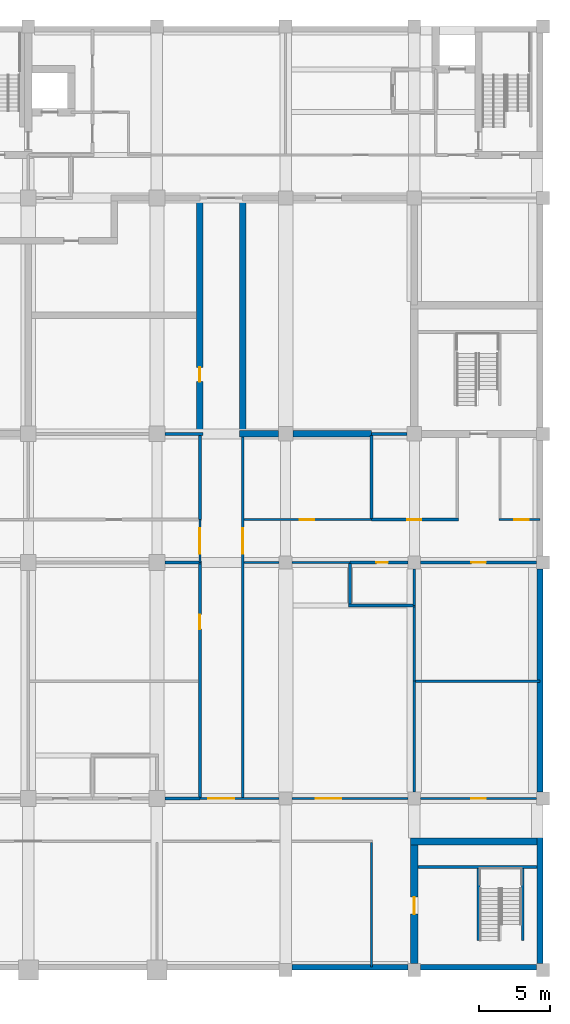
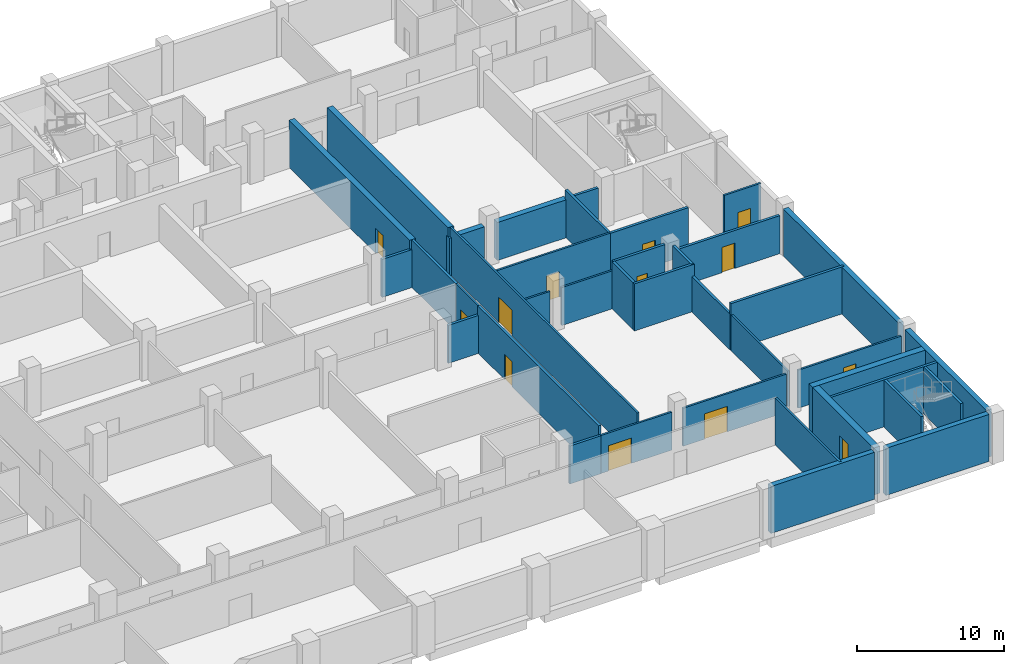
# One storey, part 10 of 16: 39 walls, 13 doors, 13 openings.
"""IFC4 building model written with IfcOpenShell, lengths in metres."""

from ifc_helpers import new_model, si_unit, direction, frame, frame_2d, origin, place, context, subcontext, project, spatial, rectangle, extrude, material, layer, layer_set, type_object, element, fill, save


model = new_model("IFC4")

# Units and contexts
model_context = context("Model", 3, precision=1e-05, world=origin(), true_north=direction((0.0, 1.0)))
body_context = subcontext(model_context, "Body", "Model", "MODEL_VIEW")
ifc_project = project(units=[si_unit("LENGTHUNIT", "METRE"), si_unit("AREAUNIT", "SQUARE_METRE"), si_unit("VOLUMEUNIT", "CUBIC_METRE"), si_unit("PLANEANGLEUNIT", "RADIAN"), si_unit("MASSUNIT", "GRAM", prefix="KILO")], contexts=[model_context])

# Site, building, storey
site_placement = place(None, origin())
site = spatial("IfcSite", under=ifc_project, at=site_placement, CompositionType="ELEMENT")
building_placement = place(site_placement, origin())
building = spatial("IfcBuilding", under=site, at=building_placement, Name="Aurelan Courthouse", CompositionType="ELEMENT")
storey_placement = place(building_placement, frame((0.0, 0.0, -4.199951171875)))
storey = spatial("IfcBuildingStorey", under=building, at=storey_placement, Name="B1", CompositionType="ELEMENT", Elevation=-4.199951171875)

# Walls
ifc_material_1 = material(Name="Reinforced concrete block", Category="concrete")
ifc_layer_1 = layer(ifc_material_1, 0.449951171875)
ifc_layer_set_1 = layer_set([ifc_layer_1], Name="Reinforced concrete block")
wall_type_1 = type_object("IfcWallType", Name="Archive fire wall 450 EI 60", PredefinedType="PARTITIONING", material=ifc_layer_set_1)
wall_1_placement = place(storey_placement, frame((68.77490234375, 37.5, 0.0), z_axis=(0.0, 0.0, 1.0), x_axis=(1.0, 0.0, 0.0)))
element("IfcWall", 1, at=wall_1_placement, inside=storey, type_object=wall_type_1, Name="Archive fire wall B1-051", PredefinedType="PARTITIONING", context=body_context, shape_type="SweptSolid", body=[
    extrude(rectangle(XDim=2.72509765625, YDim=0.449951171875, at=frame_2d((1.362548828125, 0.0))), origin(), (0.0, 0.0, 1.0), 3.14990234375),
])
wall_2_placement = place(storey_placement, frame((72.5, 37.5, 0.0), z_axis=(0.0, 0.0, 1.0), x_axis=(1.0, 0.0, 0.0)))
element("IfcWall", 2, at=wall_2_placement, inside=storey, type_object=wall_type_1, Name="Archive fire wall B1-052", PredefinedType="PARTITIONING", context=body_context, shape_type="SweptSolid", body=[
    extrude(rectangle(XDim=5.5, YDim=0.449951171875, at=frame_2d((2.75, 0.0))), origin(), (0.0, 0.0, 1.0), 3.14990234375),
])

# Wall, opening, door
wall_3_placement = place(storey_placement, frame((66.0, 37.5, 0.0), z_axis=(0.0, 0.0, 1.0), x_axis=(0.0, 1.0, 0.0)))
wall_3 = element("IfcWall", 3, at=wall_3_placement, inside=storey, type_object=wall_type_1, Name="Archive fire wall B1-140", PredefinedType="PARTITIONING", context=body_context, shape_type="SweptSolid", body=[
    extrude(rectangle(XDim=16.425048828125, YDim=0.449951171875, at=frame_2d((8.21240234375, 0.0))), origin(), (0.0, 0.0, 1.0), 3.89990234375),
])
opening_1_placement = place(wall_3_placement, frame((3.64990234375, 0.0, 0.0)))
opening_1 = element("IfcOpeningElement", 4, at=opening_1_placement, cuts=wall_3, Name="Opening D-B1-037", PredefinedType="OPENING", context=body_context, shape_type="SweptSolid", body=[
    extrude(rectangle(XDim=1.0, YDim=2.10009765625, at=frame_2d((0.5, 1.050048828125))), frame((0.0, 0.23486328125, 0.0), z_axis=(0.0, -1.0, 0.0), x_axis=(1.0, 0.0, 0.0)), (0.0, 0.0, 1.0), 0.469970703125),
])
ifc_material_2 = material(Name="Steel", Category="steel")
door_type_1 = type_object("IfcDoorType", Name="Single door 1000 x 2100 FD60", OperationType="SINGLE_SWING_LEFT", PredefinedType="DOOR", material=ifc_material_2)
door_1_placement = place(opening_1_placement, origin())
door_1 = element("IfcDoor", 5, at=door_1_placement, inside=storey, type_object=door_type_1, Name="Single door D-B1-037", OperationType="SINGLE_SWING_RIGHT", OverallHeight=2.10009765625, OverallWidth=1.0, PredefinedType="DOOR", context=body_context, shape_type="SweptSolid", body=[
    extrude(rectangle(XDim=1.0, YDim=2.10009765625, at=frame_2d((0.5, 1.050048828125))), frame((0.0, 0.02490234375, 0.0), z_axis=(0.0, -1.0, 0.0), x_axis=(1.0, 0.0, 0.0)), (0.0, 0.0, 1.0), 0.050048828125),
])
fill(opening_1, door_1)

# Wall
wall_4_placement = place(storey_placement, frame((69.0, 37.5, 0.0), z_axis=(0.0, 0.0, 1.0), x_axis=(0.0, 1.0, 0.0)))
element("IfcWall", 6, at=wall_4_placement, inside=storey, type_object=wall_type_1, Name="Archive fire wall B1-142", PredefinedType="PARTITIONING", context=body_context, shape_type="SweptSolid", body=[
    extrude(rectangle(XDim=16.425048828125, YDim=0.449951171875, at=frame_2d((8.21240234375, 0.0))), origin(), (0.0, 0.0, 1.0), 3.89990234375),
])

# Wall, opening, door
ifc_material_3 = material(Name="Gypsum board on metal studs")
ifc_layer_2 = layer(ifc_material_3, 0.14990234375)
ifc_layer_set_2 = layer_set([ifc_layer_2], Name="Gypsum board on metal studs")
wall_type_2 = type_object("IfcWallType", Name="Corridor partition 150 EI 60", PredefinedType="PARTITIONING", material=ifc_layer_set_2)
wall_5_placement = place(storey_placement, frame((66.0, 12.0, 0.0), z_axis=(0.0, 0.0, 1.0), x_axis=(1.0, 0.0, 0.0)))
wall_5 = element("IfcWall", 7, at=wall_5_placement, inside=storey, type_object=wall_type_2, Name="Corridor partition B1-010", PredefinedType="PARTITIONING", context=body_context, shape_type="SweptSolid", body=[
    extrude(rectangle(XDim=5.550048828125, YDim=0.14990234375, at=frame_2d((2.77490234375, 0.0))), origin(), (0.0, 0.0, 1.0), 3.14990234375),
])
opening_2_placement = place(wall_5_placement, frame((0.60009765625, 0.0, 0.0)))
opening_2 = element("IfcOpeningElement", 8, at=opening_2_placement, cuts=wall_5, Name="Opening D-B1-003", PredefinedType="OPENING", context=body_context, shape_type="SweptSolid", body=[
    extrude(rectangle(XDim=1.800048828125, YDim=2.10009765625, at=frame_2d((0.89990234375, 1.050048828125))), frame((0.0, 0.0849609375, 0.0), z_axis=(0.0, -1.0, 0.0), x_axis=(1.0, 0.0, 0.0)), (0.0, 0.0, 1.0), 0.169921875),
])
door_type_2 = type_object("IfcDoorType", Name="Double door 1800 x 2100 FD60", OperationType="DOUBLE_DOOR_SINGLE_SWING", PredefinedType="DOOR", material=ifc_material_2)
door_2_placement = place(opening_2_placement, origin())
door_2 = element("IfcDoor", 9, at=door_2_placement, inside=storey, type_object=door_type_2, Name="Double door D-B1-003", OperationType="DOUBLE_DOOR_SINGLE_SWING", OverallHeight=2.10009765625, OverallWidth=1.800048828125, PredefinedType="DOOR", context=body_context, shape_type="SweptSolid", body=[
    extrude(rectangle(XDim=1.800048828125, YDim=2.10009765625, at=frame_2d((0.89990234375, 1.050048828125))), frame((0.0, 0.02490234375, 0.0), z_axis=(0.0, -1.0, 0.0), x_axis=(1.0, 0.0, 0.0)), (0.0, 0.0, 1.0), 0.050048828125),
])
fill(opening_2, door_2)

wall_6_placement = place(storey_placement, frame((72.449951171875, 12.0, 0.0), z_axis=(0.0, 0.0, 1.0), x_axis=(1.0, 0.0, 0.0)))
wall_6 = element("IfcWall", 10, at=wall_6_placement, inside=storey, type_object=wall_type_2, Name="Corridor partition B1-011", PredefinedType="PARTITIONING", context=body_context, shape_type="SweptSolid", body=[
    extrude(rectangle(XDim=8.10009765625, YDim=0.14990234375, at=frame_2d((4.050048828125, 0.0))), origin(), (0.0, 0.0, 1.0), 3.14990234375),
])
opening_3_placement = place(wall_6_placement, frame((1.64990234375, 0.0, 0.0)))
opening_3 = element("IfcOpeningElement", 11, at=opening_3_placement, cuts=wall_6, Name="Opening D-B1-010", PredefinedType="OPENING", context=body_context, shape_type="SweptSolid", body=[
    extrude(rectangle(XDim=1.800048828125, YDim=2.10009765625, at=frame_2d((0.89990234375, 1.050048828125))), frame((0.0, 0.0849609375, 0.0), z_axis=(0.0, -1.0, 0.0), x_axis=(1.0, 0.0, 0.0)), (0.0, 0.0, 1.0), 0.169921875),
])
door_3_placement = place(opening_3_placement, origin())
door_3 = element("IfcDoor", 12, at=door_3_placement, inside=storey, type_object=door_type_2, Name="Double door D-B1-010", OperationType="DOUBLE_DOOR_SINGLE_SWING", OverallHeight=2.10009765625, OverallWidth=1.800048828125, PredefinedType="DOOR", context=body_context, shape_type="SweptSolid", body=[
    extrude(rectangle(XDim=1.800048828125, YDim=2.10009765625, at=frame_2d((0.89990234375, 1.050048828125))), frame((0.0, 0.02490234375, 0.0), z_axis=(0.0, -1.0, 0.0), x_axis=(1.0, 0.0, 0.0)), (0.0, 0.0, 1.0), 0.050048828125),
])
fill(opening_3, door_3)

wall_7_placement = place(storey_placement, frame((81.449951171875, 12.0, 0.0), z_axis=(0.0, 0.0, 1.0), x_axis=(1.0, 0.0, 0.0)))
wall_7 = element("IfcWall", 13, at=wall_7_placement, inside=storey, type_object=wall_type_2, Name="Corridor partition B1-012", PredefinedType="PARTITIONING", context=body_context, shape_type="SweptSolid", body=[
    extrude(rectangle(XDim=8.10009765625, YDim=0.14990234375, at=frame_2d((4.050048828125, 0.0))), origin(), (0.0, 0.0, 1.0), 3.14990234375),
])
opening_4_placement = place(wall_7_placement, frame((3.550048828125, 0.0, 0.0)))
opening_4 = element("IfcOpeningElement", 14, at=opening_4_placement, cuts=wall_7, Name="Opening D-B1-011", PredefinedType="OPENING", context=body_context, shape_type="SweptSolid", body=[
    extrude(rectangle(XDim=1.0, YDim=2.10009765625, at=frame_2d((0.5, 1.050048828125))), frame((0.0, 0.0849609375, 0.0), z_axis=(0.0, -1.0, 0.0), x_axis=(1.0, 0.0, 0.0)), (0.0, 0.0, 1.0), 0.169921875),
])
door_4_placement = place(opening_4_placement, origin())
door_4 = element("IfcDoor", 15, at=door_4_placement, inside=storey, type_object=door_type_1, Name="Single door D-B1-011", OperationType="SINGLE_SWING_RIGHT", OverallHeight=2.10009765625, OverallWidth=1.0, PredefinedType="DOOR", context=body_context, shape_type="SweptSolid", body=[
    extrude(rectangle(XDim=1.0, YDim=2.10009765625, at=frame_2d((0.5, 1.050048828125))), frame((0.0, 0.02490234375, 0.0), z_axis=(0.0, -1.0, 0.0), x_axis=(1.0, 0.0, 0.0)), (0.0, 0.0, 1.0), 0.050048828125),
])
fill(opening_4, door_4)

# Walls
wall_8_placement = place(storey_placement, frame((69.074951171875, 28.5, 0.0), z_axis=(0.0, 0.0, 1.0), x_axis=(1.0, 0.0, 0.0)))
element("IfcWall", 16, at=wall_8_placement, inside=storey, type_object=wall_type_2, Name="Corridor partition B1-030", PredefinedType="PARTITIONING", context=body_context, shape_type="SweptSolid", body=[
    extrude(rectangle(XDim=2.47509765625, YDim=0.14990234375, at=frame_2d((1.237548828125, 0.0))), origin(), (0.0, 0.0, 1.0), 3.14990234375),
])
wall_9_placement = place(storey_placement, frame((72.449951171875, 28.5, 0.0), z_axis=(0.0, 0.0, 1.0), x_axis=(1.0, 0.0, 0.0)))
element("IfcWall", 17, at=wall_9_placement, inside=storey, type_object=wall_type_2, Name="Corridor partition B1-031", PredefinedType="PARTITIONING", context=body_context, shape_type="SweptSolid", body=[
    extrude(rectangle(XDim=4.050048828125, YDim=0.14990234375, at=frame_2d((2.02490234375, 0.0))), origin(), (0.0, 0.0, 1.0), 3.14990234375),
])

# Wall, opening, door
wall_10_placement = place(storey_placement, frame((69.074951171875, 31.5, 0.0), z_axis=(0.0, 0.0, 1.0), x_axis=(1.0, 0.0, 0.0)))
wall_10 = element("IfcWall", 18, at=wall_10_placement, inside=storey, type_object=wall_type_2, Name="Corridor partition B1-037", PredefinedType="PARTITIONING", context=body_context, shape_type="SweptSolid", body=[
    extrude(rectangle(XDim=8.925048828125, YDim=0.14990234375, at=frame_2d((4.46240234375, 0.0))), origin(), (0.0, 0.0, 1.0), 3.89990234375),
])
opening_5_placement = place(wall_10_placement, frame((3.925048828125, 0.0, 0.0)))
opening_5 = element("IfcOpeningElement", 19, at=opening_5_placement, cuts=wall_10, Name="Opening D-B1-018", PredefinedType="OPENING", context=body_context, shape_type="SweptSolid", body=[
    extrude(rectangle(XDim=1.0, YDim=2.10009765625, at=frame_2d((0.5, 1.050048828125))), frame((0.0, 0.0849609375, 0.0), z_axis=(0.0, -1.0, 0.0), x_axis=(1.0, 0.0, 0.0)), (0.0, 0.0, 1.0), 0.169921875),
])
door_5_placement = place(opening_5_placement, origin())
door_5 = element("IfcDoor", 20, at=door_5_placement, inside=storey, type_object=door_type_1, Name="Single door D-B1-018", OperationType="SINGLE_SWING_LEFT", OverallHeight=2.10009765625, OverallWidth=1.0, PredefinedType="DOOR", context=body_context, shape_type="SweptSolid", body=[
    extrude(rectangle(XDim=1.0, YDim=2.10009765625, at=frame_2d((0.5, 1.050048828125))), frame((0.0, 0.02490234375, 0.0), z_axis=(0.0, -1.0, 0.0), x_axis=(1.0, 0.0, 0.0)), (0.0, 0.0, 1.0), 0.050048828125),
])
fill(opening_5, door_5)

wall_11_placement = place(storey_placement, frame((86.925048828125, 31.5, 0.0), z_axis=(0.0, 0.0, 1.0), x_axis=(1.0, 0.0, 0.0)))
wall_11 = element("IfcWall", 21, at=wall_11_placement, inside=storey, type_object=wall_type_2, Name="Corridor partition B1-039", PredefinedType="PARTITIONING", context=body_context, shape_type="SweptSolid", body=[
    extrude(rectangle(XDim=2.875, YDim=0.14990234375, at=frame_2d((1.4375, 0.0))), origin(), (0.0, 0.0, 1.0), 3.89990234375),
])
opening_6_placement = place(wall_11_placement, frame((1.074951171875, 0.0, 0.0)))
opening_6 = element("IfcOpeningElement", 22, at=opening_6_placement, cuts=wall_11, Name="Opening D-B1-020", PredefinedType="OPENING", context=body_context, shape_type="SweptSolid", body=[
    extrude(rectangle(XDim=1.0, YDim=2.10009765625, at=frame_2d((0.5, 1.050048828125))), frame((0.0, 0.0849609375, 0.0), z_axis=(0.0, -1.0, 0.0), x_axis=(1.0, 0.0, 0.0)), (0.0, 0.0, 1.0), 0.169921875),
])
door_6_placement = place(opening_6_placement, origin())
door_6 = element("IfcDoor", 23, at=door_6_placement, inside=storey, type_object=door_type_1, Name="Single door D-B1-020", OperationType="SINGLE_SWING_RIGHT", OverallHeight=2.10009765625, OverallWidth=1.0, PredefinedType="DOOR", context=body_context, shape_type="SweptSolid", body=[
    extrude(rectangle(XDim=1.0, YDim=2.10009765625, at=frame_2d((0.5, 1.050048828125))), frame((0.0, 0.02490234375, 0.0), z_axis=(0.0, -1.0, 0.0), x_axis=(1.0, 0.0, 0.0)), (0.0, 0.0, 1.0), 0.050048828125),
])
fill(opening_6, door_6)

wall_12_placement = place(storey_placement, frame((66.0, 28.5, 0.0), z_axis=(0.0, 0.0, 1.0), x_axis=(0.0, 1.0, 0.0)))
wall_12 = element("IfcWall", 24, at=wall_12_placement, inside=storey, type_object=wall_type_2, Name="Corridor partition B1-138", PredefinedType="PARTITIONING", context=body_context, shape_type="SweptSolid", body=[
    extrude(rectangle(XDim=3.0, YDim=0.14990234375, at=frame_2d((1.5, 0.0))), origin(), (0.0, 0.0, 1.0), 3.89990234375),
])
opening_7_placement = place(wall_12_placement, frame((2.400146484375, 0.0, 0.0), z_axis=(0.0, 0.0, 1.0), x_axis=(-1.0, 0.0, 0.0)))
opening_7 = element("IfcOpeningElement", 25, at=opening_7_placement, cuts=wall_12, Name="Opening D-B1-008", PredefinedType="OPENING", context=body_context, shape_type="SweptSolid", body=[
    extrude(rectangle(XDim=1.800048828125, YDim=2.10009765625, at=frame_2d((0.89990234375, 1.050048828125))), frame((0.0, 0.0849609375, 0.0), z_axis=(0.0, -1.0, 0.0), x_axis=(1.0, 0.0, 0.0)), (0.0, 0.0, 1.0), 0.169921875),
])
door_7_placement = place(opening_7_placement, origin())
door_7 = element("IfcDoor", 26, at=door_7_placement, inside=storey, type_object=door_type_2, Name="Double door D-B1-008", OperationType="DOUBLE_DOOR_SINGLE_SWING", OverallHeight=2.10009765625, OverallWidth=1.800048828125, PredefinedType="DOOR", context=body_context, shape_type="SweptSolid", body=[
    extrude(rectangle(XDim=1.800048828125, YDim=2.10009765625, at=frame_2d((0.89990234375, 1.050048828125))), frame((0.0, 0.02490234375, 0.0), z_axis=(0.0, -1.0, 0.0), x_axis=(1.0, 0.0, 0.0)), (0.0, 0.0, 1.0), 0.050048828125),
])
fill(opening_7, door_7)

wall_13_placement = place(storey_placement, frame((69.0, 12.074951171875, 0.0), z_axis=(0.0, 0.0, 1.0), x_axis=(0.0, 1.0, 0.0)))
wall_13 = element("IfcWall", 27, at=wall_13_placement, inside=storey, type_object=wall_type_2, Name="Corridor partition B1-141", PredefinedType="PARTITIONING", context=body_context, shape_type="SweptSolid", body=[
    extrude(rectangle(XDim=25.425048828125, YDim=0.14990234375, at=frame_2d((12.71240234375, 0.0))), origin(), (0.0, 0.0, 1.0), 3.89990234375),
])
opening_8_placement = place(wall_13_placement, frame((17.02490234375, 0.0, 0.0)))
opening_8 = element("IfcOpeningElement", 28, at=opening_8_placement, cuts=wall_13, Name="Opening D-B1-009", PredefinedType="OPENING", context=body_context, shape_type="SweptSolid", body=[
    extrude(rectangle(XDim=1.800048828125, YDim=2.10009765625, at=frame_2d((0.89990234375, 1.050048828125))), frame((0.0, 0.0849609375, 0.0), z_axis=(0.0, -1.0, 0.0), x_axis=(1.0, 0.0, 0.0)), (0.0, 0.0, 1.0), 0.169921875),
])
door_8_placement = place(opening_8_placement, origin())
door_8 = element("IfcDoor", 29, at=door_8_placement, inside=storey, type_object=door_type_2, Name="Double door D-B1-009", OperationType="DOUBLE_DOOR_SINGLE_SWING", OverallHeight=2.10009765625, OverallWidth=1.800048828125, PredefinedType="DOOR", context=body_context, shape_type="SweptSolid", body=[
    extrude(rectangle(XDim=1.800048828125, YDim=2.10009765625, at=frame_2d((0.89990234375, 1.050048828125))), frame((0.0, 0.02490234375, 0.0), z_axis=(0.0, -1.0, 0.0), x_axis=(1.0, 0.0, 0.0)), (0.0, 0.0, 1.0), 0.050048828125),
])
fill(opening_8, door_8)

# Walls
wall_14_placement = place(storey_placement, frame((78.0, 0.199951171875, 0.0), z_axis=(0.0, 0.0, 1.0), x_axis=(0.0, 1.0, 0.0)))
element("IfcWall", 30, at=wall_14_placement, inside=storey, type_object=wall_type_2, Name="Corridor partition B1-145", PredefinedType="PARTITIONING", context=body_context, shape_type="SweptSolid", body=[
    extrude(rectangle(XDim=8.72509765625, YDim=0.14990234375, at=frame_2d((4.362548828125, 0.0))), origin(), (0.0, 0.0, 1.0), 3.89990234375),
])
ifc_layer_3 = layer(ifc_material_3, 0.14990234375)
ifc_layer_set_3 = layer_set([ifc_layer_3], Name="Gypsum board on metal studs")
wall_type_3 = type_object("IfcWallType", Name="Partition 150 NOT RATED", PredefinedType="PARTITIONING", material=ifc_layer_set_3)
wall_15_placement = place(storey_placement, frame((81.0, 12.449951171875, 0.0), z_axis=(0.0, 0.0, 1.0), x_axis=(0.0, 1.0, 0.0)))
element("IfcWall", 31, at=wall_15_placement, inside=storey, type_object=wall_type_3, Name="Partition B1-148", PredefinedType="PARTITIONING", context=body_context, shape_type="SweptSolid", body=[
    extrude(rectangle(XDim=7.75, YDim=0.14990234375, at=frame_2d((3.875, 0.0))), origin(), (0.0, 0.0, 1.0), 2.949951171875),
])
ifc_material_4 = material(Name="Masonry block", Category="masonry")
ifc_layer_4 = layer(ifc_material_4, 0.199951171875)
ifc_layer_set_4 = layer_set([ifc_layer_4], Name="Masonry block")
wall_type_4 = type_object("IfcWallType", Name="Plant room wall 200 EI 120", PredefinedType="PARTITIONING", material=ifc_layer_set_4)
wall_16_placement = place(storey_placement, frame((63.550048828125, 12.0, 0.0), z_axis=(0.0, 0.0, 1.0), x_axis=(1.0, 0.0, 0.0)))
element("IfcWall", 32, at=wall_16_placement, inside=storey, type_object=wall_type_4, Name="Plant room wall B1-009", PredefinedType="PARTITIONING", context=body_context, shape_type="SweptSolid", body=[
    extrude(rectangle(XDim=2.449951171875, YDim=0.199951171875, at=frame_2d((1.22509765625, 0.0))), origin(), (0.0, 0.0, 1.0), 3.14990234375),
])
wall_17_placement = place(storey_placement, frame((80.89990234375, 20.199951171875, 0.0), z_axis=(0.0, 0.0, 1.0), x_axis=(1.0, 0.0, 0.0)))
element("IfcWall", 33, at=wall_17_placement, inside=storey, type_object=wall_type_4, Name="Plant room wall B1-017", PredefinedType="PARTITIONING", context=body_context, shape_type="SweptSolid", body=[
    extrude(rectangle(XDim=8.900146484375, YDim=0.199951171875, at=frame_2d((4.4501953125, 0.0))), origin(), (0.0, 0.0, 1.0), 3.89990234375),
])
wall_18_placement = place(storey_placement, frame((63.550048828125, 28.5, 0.0), z_axis=(0.0, 0.0, 1.0), x_axis=(1.0, 0.0, 0.0)))
element("IfcWall", 34, at=wall_18_placement, inside=storey, type_object=wall_type_4, Name="Plant room wall B1-029", PredefinedType="PARTITIONING", context=body_context, shape_type="SweptSolid", body=[
    extrude(rectangle(XDim=2.550048828125, YDim=0.199951171875, at=frame_2d((1.27490234375, 0.0))), origin(), (0.0, 0.0, 1.0), 3.14990234375),
])

# Wall, opening, door
wall_19_placement = place(storey_placement, frame((81.449951171875, 28.5, 0.0), z_axis=(0.0, 0.0, 1.0), x_axis=(1.0, 0.0, 0.0)))
wall_19 = element("IfcWall", 35, at=wall_19_placement, inside=storey, type_object=wall_type_4, Name="Plant room wall B1-033", PredefinedType="PARTITIONING", context=body_context, shape_type="SweptSolid", body=[
    extrude(rectangle(XDim=8.10009765625, YDim=0.199951171875, at=frame_2d((4.050048828125, 0.0))), origin(), (0.0, 0.0, 1.0), 3.14990234375),
])
opening_9_placement = place(wall_19_placement, frame((4.550048828125, 0.0, 0.0), z_axis=(0.0, 0.0, 1.0), x_axis=(-1.0, 0.0, 0.0)))
opening_9 = element("IfcOpeningElement", 36, at=opening_9_placement, cuts=wall_19, Name="Opening D-B1-012", PredefinedType="OPENING", context=body_context, shape_type="SweptSolid", body=[
    extrude(rectangle(XDim=1.0, YDim=2.10009765625, at=frame_2d((0.5, 1.050048828125))), frame((0.0, 0.10986328125, 0.0), z_axis=(0.0, -1.0, 0.0), x_axis=(1.0, 0.0, 0.0)), (0.0, 0.0, 1.0), 0.219970703125),
])
door_type_3 = type_object("IfcDoorType", Name="Single door 1000 x 2100 FD90", OperationType="SINGLE_SWING_LEFT", PredefinedType="DOOR", material=ifc_material_2)
door_9_placement = place(opening_9_placement, origin())
door_9 = element("IfcDoor", 37, at=door_9_placement, inside=storey, type_object=door_type_3, Name="Single door D-B1-012", OperationType="SINGLE_SWING_LEFT", OverallHeight=2.10009765625, OverallWidth=1.0, PredefinedType="DOOR", context=body_context, shape_type="SweptSolid", body=[
    extrude(rectangle(XDim=1.0, YDim=2.10009765625, at=frame_2d((0.5, 1.050048828125))), frame((0.0, 0.02490234375, 0.0), z_axis=(0.0, -1.0, 0.0), x_axis=(1.0, 0.0, 0.0)), (0.0, 0.0, 1.0), 0.050048828125),
])
fill(opening_9, door_9)

wall_20_placement = place(storey_placement, frame((78.0, 31.5, 0.0), z_axis=(0.0, 0.0, 1.0), x_axis=(1.0, 0.0, 0.0)))
wall_20 = element("IfcWall", 38, at=wall_20_placement, inside=storey, type_object=wall_type_4, Name="Plant room wall B1-038", PredefinedType="PARTITIONING", context=body_context, shape_type="SweptSolid", body=[
    extrude(rectangle(XDim=6.10009765625, YDim=0.199951171875, at=frame_2d((3.050048828125, 0.0))), origin(), (0.0, 0.0, 1.0), 3.89990234375),
])
opening_10_placement = place(wall_20_placement, frame((2.5, 0.0, 0.0)))
opening_10 = element("IfcOpeningElement", 39, at=opening_10_placement, cuts=wall_20, Name="Opening D-B1-019", PredefinedType="OPENING", context=body_context, shape_type="SweptSolid", body=[
    extrude(rectangle(XDim=1.0, YDim=2.10009765625, at=frame_2d((0.5, 1.050048828125))), frame((0.0, 0.10986328125, 0.0), z_axis=(0.0, -1.0, 0.0), x_axis=(1.0, 0.0, 0.0)), (0.0, 0.0, 1.0), 0.219970703125),
])
door_10_placement = place(opening_10_placement, origin())
door_10 = element("IfcDoor", 40, at=door_10_placement, inside=storey, type_object=door_type_3, Name="Single door D-B1-019", OperationType="SINGLE_SWING_RIGHT", OverallHeight=2.10009765625, OverallWidth=1.0, PredefinedType="DOOR", context=body_context, shape_type="SweptSolid", body=[
    extrude(rectangle(XDim=1.0, YDim=2.10009765625, at=frame_2d((0.5, 1.050048828125))), frame((0.0, 0.02490234375, 0.0), z_axis=(0.0, -1.0, 0.0), x_axis=(1.0, 0.0, 0.0)), (0.0, 0.0, 1.0), 0.050048828125),
])
fill(opening_10, door_10)

# Walls
wall_21_placement = place(storey_placement, frame((63.550048828125, 37.5, 0.0), z_axis=(0.0, 0.0, 1.0), x_axis=(1.0, 0.0, 0.0)))
element("IfcWall", 41, at=wall_21_placement, inside=storey, type_object=wall_type_4, Name="Plant room wall B1-050", PredefinedType="PARTITIONING", context=body_context, shape_type="SweptSolid", body=[
    extrude(rectangle(XDim=2.675048828125, YDim=0.199951171875, at=frame_2d((1.33740234375, 0.0))), origin(), (0.0, 0.0, 1.0), 3.14990234375),
])
wall_22_placement = place(storey_placement, frame((78.0, 37.5, 0.0), z_axis=(0.0, 0.0, 1.0), x_axis=(1.0, 0.0, 0.0)))
element("IfcWall", 42, at=wall_22_placement, inside=storey, type_object=wall_type_4, Name="Plant room wall B1-053", PredefinedType="PARTITIONING", context=body_context, shape_type="SweptSolid", body=[
    extrude(rectangle(XDim=2.5, YDim=0.199951171875, at=frame_2d((1.25, 0.0))), origin(), (0.0, 0.0, 1.0), 3.14990234375),
])

# Wall, opening, door
wall_23_placement = place(storey_placement, frame((66.0, 12.074951171875, 0.0), z_axis=(0.0, 0.0, 1.0), x_axis=(0.0, 1.0, 0.0)))
wall_23 = element("IfcWall", 43, at=wall_23_placement, inside=storey, type_object=wall_type_4, Name="Plant room wall B1-137", PredefinedType="PARTITIONING", context=body_context, shape_type="SweptSolid", body=[
    extrude(rectangle(XDim=16.425048828125, YDim=0.199951171875, at=frame_2d((8.21240234375, 0.0))), origin(), (0.0, 0.0, 1.0), 3.89990234375),
])
opening_11_placement = place(wall_23_placement, frame((11.77490234375, 0.0, 0.0)))
opening_11 = element("IfcOpeningElement", 44, at=opening_11_placement, cuts=wall_23, Name="Opening D-B1-017", PredefinedType="OPENING", context=body_context, shape_type="SweptSolid", body=[
    extrude(rectangle(XDim=1.0, YDim=2.10009765625, at=frame_2d((0.5, 1.050048828125))), frame((0.0, 0.10986328125, 0.0), z_axis=(0.0, -1.0, 0.0), x_axis=(1.0, 0.0, 0.0)), (0.0, 0.0, 1.0), 0.219970703125),
])
door_11_placement = place(opening_11_placement, origin())
door_11 = element("IfcDoor", 45, at=door_11_placement, inside=storey, type_object=door_type_3, Name="Single door D-B1-017", OperationType="SINGLE_SWING_RIGHT", OverallHeight=2.10009765625, OverallWidth=1.0, PredefinedType="DOOR", context=body_context, shape_type="SweptSolid", body=[
    extrude(rectangle(XDim=1.0, YDim=2.10009765625, at=frame_2d((0.5, 1.050048828125))), frame((0.0, 0.02490234375, 0.0), z_axis=(0.0, -1.0, 0.0), x_axis=(1.0, 0.0, 0.0)), (0.0, 0.0, 1.0), 0.050048828125),
])
fill(opening_11, door_11)

# Walls
wall_24_placement = place(storey_placement, frame((66.0, 31.5, 0.0), z_axis=(0.0, 0.0, 1.0), x_axis=(0.0, 1.0, 0.0)))
element("IfcWall", 46, at=wall_24_placement, inside=storey, type_object=wall_type_4, Name="Plant room wall B1-139", PredefinedType="PARTITIONING", context=body_context, shape_type="SweptSolid", body=[
    extrude(rectangle(XDim=6.0, YDim=0.199951171875, at=frame_2d((3.0, 0.0))), origin(), (0.0, 0.0, 1.0), 3.89990234375),
])
wall_25_placement = place(storey_placement, frame((78.0, 31.574951171875, 0.0), z_axis=(0.0, 0.0, 1.0), x_axis=(0.0, 1.0, 0.0)))
element("IfcWall", 47, at=wall_25_placement, inside=storey, type_object=wall_type_4, Name="Plant room wall B1-146", PredefinedType="PARTITIONING", context=body_context, shape_type="SweptSolid", body=[
    extrude(rectangle(XDim=5.824951171875, YDim=0.199951171875, at=frame_2d((2.91259765625, 0.0))), origin(), (0.0, 0.0, 1.0), 3.89990234375),
])
wall_26_placement = place(storey_placement, frame((81.0, 20.199951171875, 0.0), z_axis=(0.0, 0.0, 1.0), x_axis=(0.0, 1.0, 0.0)))
element("IfcWall", 48, at=wall_26_placement, inside=storey, type_object=wall_type_4, Name="Plant room wall B1-149", PredefinedType="PARTITIONING", context=body_context, shape_type="SweptSolid", body=[
    extrude(rectangle(XDim=5.300048828125, YDim=0.199951171875, at=frame_2d((2.64990234375, 0.0))), origin(), (0.0, 0.0, 1.0), 2.949951171875),
])
ifc_material_5 = material(Name="Concrete C50", Category="concrete")
ifc_layer_5 = layer(ifc_material_5, 0.39990234375)
ifc_layer_set_5 = layer_set([ifc_layer_5], Name="Concrete C50")
wall_type_5 = type_object("IfcWallType", Name="RC retaining wall 400", PredefinedType="SOLIDWALL", material=ifc_layer_set_5)
for number, where, z_axis, x_axis, name in (
    (49, (72.449951171875, 0.199951171875, 0.0), (0.0, 0.0, 1.0), (1.0, 0.0, 0.0), "Retaining wall SW-B1-009"),
    (50, (81.449951171875, 0.199951171875, 0.0), (0.0, 0.0, 1.0), (1.0, 0.0, 0.0), "Retaining wall SW-B1-010"),
):
    element("IfcWall", number, at=place(storey_placement, frame(where, z_axis=z_axis, x_axis=x_axis)), inside=storey, type_object=wall_type_5, Name=name, PredefinedType="SOLIDWALL", context=body_context, shape_type="SweptSolid", body=[
        extrude(rectangle(XDim=8.10009765625, YDim=0.39990234375, at=frame_2d((4.050048828125, 0.0))), origin(), (0.0, 0.0, 1.0), 3.89990234375),
    ])
wall_27_placement = place(storey_placement, frame((89.800048828125, 0.449951171875, 0.0), z_axis=(0.0, 0.0, 1.0), x_axis=(0.0, 1.0, 0.0)))
element("IfcWall", 51, at=wall_27_placement, inside=storey, type_object=wall_type_5, Name="Retaining wall SW-B1-013", PredefinedType="SOLIDWALL", context=body_context, shape_type="SweptSolid", body=[
    extrude(rectangle(XDim=11.10009765625, YDim=0.39990234375, at=frame_2d((5.550048828125, 0.0))), origin(), (0.0, 0.0, 1.0), 3.89990234375),
])
wall_28_placement = place(storey_placement, frame((89.800048828125, 12.449951171875, 0.0), z_axis=(0.0, 0.0, 1.0), x_axis=(0.0, 1.0, 0.0)))
element("IfcWall", 52, at=wall_28_placement, inside=storey, type_object=wall_type_5, Name="Retaining wall SW-B1-018", PredefinedType="SOLIDWALL", context=body_context, shape_type="SweptSolid", body=[
    extrude(rectangle(XDim=15.60009765625, YDim=0.39990234375, at=frame_2d((7.800048828125, 0.0))), origin(), (0.0, 0.0, 1.0), 3.89990234375),
])

# Wall, opening, door
ifc_layer_6 = layer(ifc_material_5, 0.5)
ifc_layer_set_6 = layer_set([ifc_layer_6], Name="Concrete C50")
wall_type_6 = type_object("IfcWallType", Name="RC shear wall 500", PredefinedType="SHEAR", material=ifc_layer_set_6)
wall_29_placement = place(storey_placement, frame((81.0, 0.449951171875, 0.0), z_axis=(0.0, 0.0, 1.0), x_axis=(0.0, 1.0, 0.0)))
wall_29 = element("IfcWall", 53, at=wall_29_placement, inside=storey, type_object=wall_type_6, Name="Core wall SW-B1-012", PredefinedType="SHEAR", context=body_context, shape_type="SweptSolid", body=[
    extrude(rectangle(XDim=8.300048828125, YDim=0.5, at=frame_2d((4.14990234375, 0.0))), origin(), (0.0, 0.0, 1.0), 3.89990234375),
])
opening_12_placement = place(wall_29_placement, frame((4.64990234375, 0.0, 0.0), z_axis=(0.0, 0.0, 1.0), x_axis=(-1.0, 0.0, 0.0)))
opening_12 = element("IfcOpeningElement", 54, at=opening_12_placement, cuts=wall_29, Name="Opening D-B1-051", PredefinedType="OPENING", context=body_context, shape_type="SweptSolid", body=[
    extrude(rectangle(XDim=1.199951171875, YDim=2.10009765625, at=frame_2d((0.60009765625, 1.050048828125))), frame((0.0, 0.260009765625, 0.0), z_axis=(0.0, -1.0, 0.0), x_axis=(1.0, 0.0, 0.0)), (0.0, 0.0, 1.0), 0.52001953125),
])
door_type_4 = type_object("IfcDoorType", Name="Single door 1200 x 2100 FD90", OperationType="SINGLE_SWING_LEFT", PredefinedType="DOOR", material=ifc_material_2)
door_12_placement = place(opening_12_placement, origin())
door_12 = element("IfcDoor", 55, at=door_12_placement, inside=storey, type_object=door_type_4, Name="Single door D-B1-051", OperationType="SINGLE_SWING_RIGHT", OverallHeight=2.10009765625, OverallWidth=1.199951171875, PredefinedType="DOOR", context=body_context, shape_type="SweptSolid", body=[
    extrude(rectangle(XDim=1.199951171875, YDim=2.10009765625, at=frame_2d((0.60009765625, 1.050048828125))), frame((0.0, 0.02490234375, 0.0), z_axis=(0.0, -1.0, 0.0), x_axis=(1.0, 0.0, 0.0)), (0.0, 0.0, 1.0), 0.050048828125),
])
fill(opening_12, door_12)

# Walls
wall_30_placement = place(storey_placement, frame((80.75, 9.0, 0.0), z_axis=(0.0, 0.0, 1.0), x_axis=(1.0, 0.0, 0.0)))
element("IfcWall", 56, at=wall_30_placement, inside=storey, type_object=wall_type_6, Name="Core wall SW-B1-016", PredefinedType="SHEAR", context=body_context, shape_type="SweptSolid", body=[
    extrude(rectangle(XDim=9.25, YDim=0.5, at=frame_2d((4.625, 0.0))), origin(), (0.0, 0.0, 1.0), 3.89990234375),
])
ifc_material_6 = material(Name="Concrete C30", Category="concrete")
ifc_layer_7 = layer(ifc_material_6, 0.199951171875)
ifc_layer_set_7 = layer_set([ifc_layer_7], Name="Concrete C30")
wall_type_7 = type_object("IfcWallType", Name="Shaft wall 200 EI 120 load-bearing", PredefinedType="SHEAR", material=ifc_layer_set_7)
wall_31_placement = place(storey_placement, frame((76.39990234375, 25.5, 0.0), z_axis=(0.0, 0.0, 1.0), x_axis=(1.0, 0.0, 0.0)))
element("IfcWall", 57, at=wall_31_placement, inside=storey, type_object=wall_type_7, Name="Shaft wall B1-020", PredefinedType="SHEAR", context=body_context, shape_type="SweptSolid", body=[
    extrude(rectangle(XDim=4.7001953125, YDim=0.199951171875, at=frame_2d((2.35009765625, 0.0))), origin(), (0.0, 0.0, 1.0), 3.89990234375),
])

# Wall, opening, door
wall_32_placement = place(storey_placement, frame((76.5, 28.5, 0.0), z_axis=(0.0, 0.0, 1.0), x_axis=(1.0, 0.0, 0.0)))
wall_32 = element("IfcWall", 58, at=wall_32_placement, inside=storey, type_object=wall_type_7, Name="Shaft wall B1-032", PredefinedType="SHEAR", context=body_context, shape_type="SweptSolid", body=[
    extrude(rectangle(XDim=4.050048828125, YDim=0.199951171875, at=frame_2d((2.02490234375, 0.0))), origin(), (0.0, 0.0, 1.0), 3.89990234375),
])
opening_13_placement = place(wall_32_placement, frame((2.650146484375, 0.0, 0.0), z_axis=(0.0, 0.0, 1.0), x_axis=(-1.0, 0.0, 0.0)))
opening_13 = element("IfcOpeningElement", 59, at=opening_13_placement, cuts=wall_32, Name="Opening D-B1-063", PredefinedType="OPENING", context=body_context, shape_type="SweptSolid", body=[
    extrude(rectangle(XDim=0.800048828125, YDim=2.0, at=frame_2d((0.39990234375, 1.0))), frame((0.0, 0.10986328125, 0.0), z_axis=(0.0, -1.0, 0.0), x_axis=(1.0, 0.0, 0.0)), (0.0, 0.0, 1.0), 0.219970703125),
])
door_type_5 = type_object("IfcDoorType", Name="Single door 800 x 2000 FD90", OperationType="SINGLE_SWING_LEFT", PredefinedType="DOOR", material=ifc_material_2)
door_13_placement = place(opening_13_placement, origin())
door_13 = element("IfcDoor", 60, at=door_13_placement, inside=storey, type_object=door_type_5, Name="Single door D-B1-063", OperationType="SINGLE_SWING_LEFT", OverallHeight=2.0, OverallWidth=0.800048828125, PredefinedType="DOOR", context=body_context, shape_type="SweptSolid", body=[
    extrude(rectangle(XDim=0.800048828125, YDim=2.0, at=frame_2d((0.39990234375, 1.0))), frame((0.0, 0.02490234375, 0.0), z_axis=(0.0, -1.0, 0.0), x_axis=(1.0, 0.0, 0.0)), (0.0, 0.0, 1.0), 0.050048828125),
])
fill(opening_13, door_13)

# Walls
wall_33_placement = place(storey_placement, frame((76.5, 25.60009765625, 0.0), z_axis=(0.0, 0.0, 1.0), x_axis=(0.0, 1.0, 0.0)))
element("IfcWall", 61, at=wall_33_placement, inside=storey, type_object=wall_type_7, Name="Shaft wall B1-144", PredefinedType="SHEAR", context=body_context, shape_type="SweptSolid", body=[
    extrude(rectangle(XDim=2.824951171875, YDim=0.199951171875, at=frame_2d((1.41259765625, 0.0))), origin(), (0.0, 0.0, 1.0), 3.89990234375),
])
wall_34_placement = place(storey_placement, frame((81.0, 25.5, 0.0), z_axis=(0.0, 0.0, 1.0), x_axis=(0.0, 1.0, 0.0)))
element("IfcWall", 62, at=wall_34_placement, inside=storey, type_object=wall_type_7, Name="Shaft wall B1-150", PredefinedType="SHEAR", context=body_context, shape_type="SweptSolid", body=[
    extrude(rectangle(XDim=2.550048828125, YDim=0.199951171875, at=frame_2d((1.27490234375, 0.0))), origin(), (0.0, 0.0, 1.0), 3.89990234375),
])
ifc_layer_8 = layer(ifc_material_6, 0.199951171875)
ifc_layer_set_8 = layer_set([ifc_layer_8], Name="Concrete C30")
wall_type_8 = type_object("IfcWallType", Name="Stair well wall 200 EI 120 load-bearing", PredefinedType="SHEAR", material=ifc_layer_set_8)
for number, where, z_axis, x_axis, name in (
    (63, (85.489990234375, 2.054931640625, 0.0), (0.0, 0.0, 1.0), (0.0, 1.0, 0.0), "Stair well wall BS-2-B1 A"),
    (64, (88.590087890625, 2.054931640625, 0.0), (0.0, 0.0, 1.0), (0.0, 1.0, 0.0), "Stair well wall BS-2-B1 B"),
):
    element("IfcWall", number, at=place(storey_placement, frame(where, z_axis=z_axis, x_axis=x_axis)), inside=storey, type_object=wall_type_8, Name=name, PredefinedType="SHEAR", context=body_context, shape_type="SweptSolid", body=[
        extrude(rectangle(XDim=5.0400390625, YDim=0.199951171875, at=frame_2d((2.52001953125, 0.0))), origin(), (0.0, 0.0, 1.0), 3.89990234375),
    ])
wall_35_placement = place(storey_placement, frame((81.25, 7.195068359375, 0.0), z_axis=(0.0, 0.0, 1.0), x_axis=(1.0, 0.0, 0.0)))
element("IfcWall", 65, at=wall_35_placement, inside=storey, type_object=wall_type_8, Name="Stair well wall BS-2-B1 C", PredefinedType="SHEAR", context=body_context, shape_type="SweptSolid", body=[
    extrude(rectangle(XDim=8.35009765625, YDim=0.199951171875, at=frame_2d((4.175048828125, 0.0))), origin(), (0.0, 0.0, 1.0), 3.89990234375),
])

save(model, "model.ifc")
